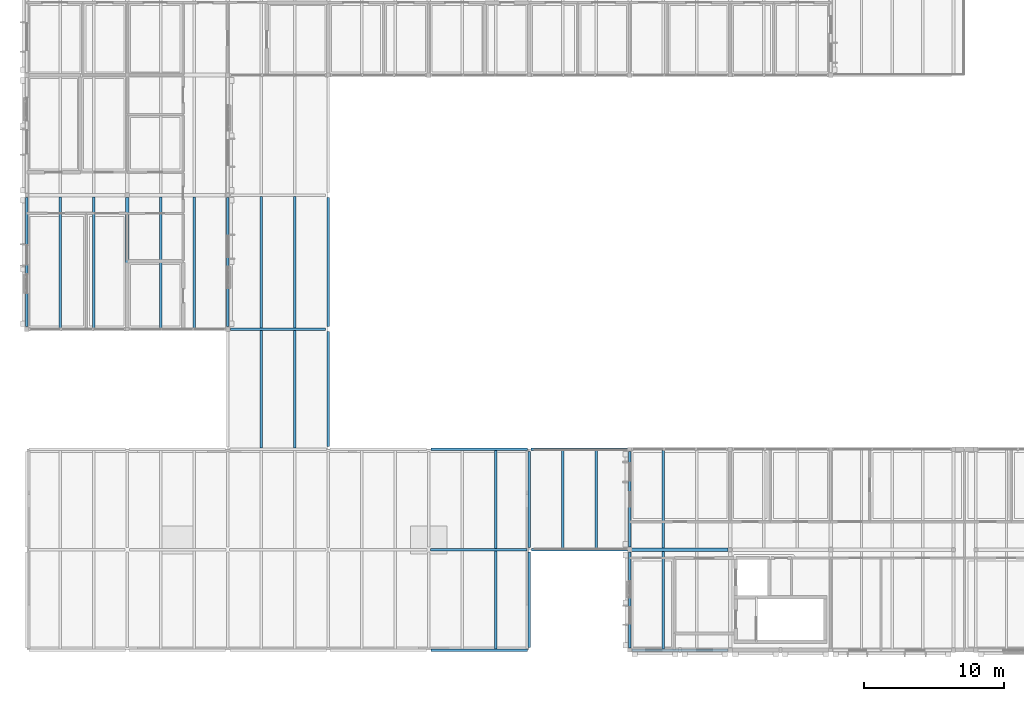
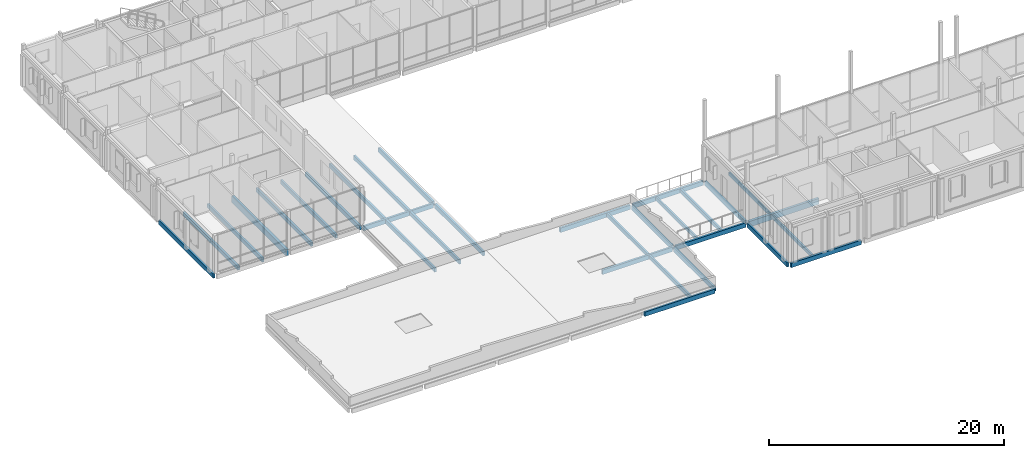
# One storey, part 6 of 57: 31 beams.
"""IFC4 building model written with IfcOpenShell, lengths in metres."""

from ifc_helpers import new_model, si_unit, direction, frame, origin, origin_2d, place, context, subcontext, project, spatial, rectangle, extrude, material, material_profile, profile_set, type_object, element, save


model = new_model("IFC4")

# Units and contexts
model_context = context("Model", 3, precision=1e-05, world=origin(), true_north=direction((0.0, 1.0)))
body_context = subcontext(model_context, "Body", "Model", "MODEL_VIEW")
ifc_project = project(units=[si_unit("LENGTHUNIT", "METRE"), si_unit("AREAUNIT", "SQUARE_METRE"), si_unit("VOLUMEUNIT", "CUBIC_METRE"), si_unit("PLANEANGLEUNIT", "RADIAN"), si_unit("MASSUNIT", "GRAM", prefix="KILO")], contexts=[model_context])

# Site, building, storey
site_placement = place(None, origin())
site = spatial("IfcSite", under=ifc_project, at=site_placement, CompositionType="ELEMENT")
building_placement = place(site_placement, origin())
building = spatial("IfcBuilding", under=site, at=building_placement, Name="Hawrajan Terrace Health Centre", CompositionType="ELEMENT")
storey_placement = place(building_placement, frame((0.0, 0.0, 13.199951171875)))
storey = spatial("IfcBuildingStorey", under=building, at=storey_placement, Name="L03", CompositionType="ELEMENT", Elevation=13.199951171875)

# Beams
ifc_material_1 = material(Name="Glulam GL32h", Category="wood")
ifc_material_profile_1 = material_profile(ifc_material_1, rectangle(XDim=0.239990234375, YDim=0.60009765625, at=origin_2d()), Name="GL BM 240x600")
ifc_profile_set_1 = profile_set([ifc_material_profile_1], Name="Glulam GL32h")
beam_type_1 = type_object("IfcBeamType", Name="GlulamGirder_240x600", PredefinedType="BEAM", material=ifc_profile_set_1)
beam_1_placement = place(storey_placement, frame((47.93994140625, 11.39990234375, -0.52001953125), z_axis=(1.0, 0.0, 0.0), x_axis=(0.0, 1.0, 0.0)))
element("IfcBeam", 1, at=beam_1_placement, inside=storey, type_object=beam_type_1, Name="Beam BM-X-L03-W-07-Y2", PredefinedType="BEAM", context=body_context, shape_type="SweptSolid", body=[
    extrude(rectangle(XDim=0.239990234375, YDim=0.60009765625, at=origin_2d()), origin(), (0.0, 0.0, 1.0), 6.900146484375),
])
ifc_material_profile_2 = material_profile(ifc_material_1, rectangle(XDim=0.280029296875, YDim=0.639892578125, at=origin_2d()), Name="GL BM 280x640")
ifc_profile_set_2 = profile_set([ifc_material_profile_2], Name="Glulam GL32h")
beam_type_2 = type_object("IfcBeamType", Name="GlulamGirder_280x640", PredefinedType="BEAM", material=ifc_profile_set_2)
beam_2_placement = place(storey_placement, frame((11.800048828125, 27.360107421875, -0.530029296875), z_axis=(0.0, 1.0, 0.0), x_axis=(-1.0, 0.0, 0.0)))
element("IfcBeam", 2, at=beam_2_placement, inside=storey, type_object=beam_type_2, Name="Beam BM-Y-L03-W-X02-4", PredefinedType="BEAM", context=body_context, shape_type="SweptSolid", body=[
    extrude(rectangle(XDim=0.280029296875, YDim=0.639892578125, at=origin_2d()), origin(), (0.0, 0.0, 1.0), 9.260009765625),
])
ifc_material_2 = material(Name="Glulam GL28h", Category="wood")
ifc_material_profile_3 = material_profile(ifc_material_2, rectangle(XDim=0.159912109375, YDim=0.360107421875, at=origin_2d()), Name="GL JST 160x360")
ifc_profile_set_3 = profile_set([ifc_material_profile_3], Name="Glulam GL28h")
beam_type_3 = type_object("IfcBeamType", Name="GlulamJoist_160x360", PredefinedType="JOIST", material=ifc_profile_set_3)
beam_3_placement = place(storey_placement, frame((43.0, 11.5, -0.429931640625), z_axis=(0.0, 1.0, 0.0), x_axis=(-1.0, 0.0, 0.0)))
element("IfcBeam", 3, at=beam_3_placement, inside=storey, type_object=beam_type_3, Name="Secondary joist JST-L03-W-06-2-1", PredefinedType="JOIST", context=body_context, shape_type="SweptSolid", body=[
    extrude(rectangle(XDim=0.159912109375, YDim=0.360107421875, at=origin_2d()), origin(), (0.0, 0.0, 1.0), 7.0),
])
for number, where, z_axis, x_axis, name in (
    (4, (50.199951171875, 4.300048828125, -0.39990234375), (0.0, 1.0, 0.0), (-1.0, 0.0, 0.0), "Secondary joist JST-L03-W-07-1-1"),
    (5, (50.199951171875, 11.52001953125, -0.39990234375), (0.0, 1.0, 0.0), (-1.0, 0.0, 0.0), "Secondary joist JST-L03-W-07-2-1"),
):
    element("IfcBeam", number, at=place(storey_placement, frame(where, z_axis=z_axis, x_axis=x_axis)), inside=storey, type_object=beam_type_3, Name=name, PredefinedType="JOIST", context=body_context, shape_type="SweptSolid", body=[
        extrude(rectangle(XDim=0.159912109375, YDim=0.360107421875, at=origin_2d()), origin(), (0.0, 0.0, 1.0), 6.97998046875),
    ])
ifc_material_profile_4 = material_profile(ifc_material_2, rectangle(XDim=0.179931640625, YDim=0.39990234375, at=origin_2d()), Name="GL JST 180x400")
ifc_profile_set_4 = profile_set([ifc_material_profile_4], Name="Glulam GL28h")
beam_type_4 = type_object("IfcBeamType", Name="GlulamJoist_180x400", PredefinedType="JOIST", material=ifc_profile_set_4)
for number, where, z_axis, x_axis, name in (
    (6, (38.199951171875, 4.300048828125, -0.449951171875), (0.0, 1.0, 0.0), (-1.0, 0.0, 0.0), "Secondary joist JST-L03-W-05-1-2"),
    (7, (38.199951171875, 11.5, -0.449951171875), (0.0, 1.0, 0.0), (-1.0, 0.0, 0.0), "Secondary joist JST-L03-W-05-2-2"),
    (8, (45.39990234375, 11.5, -0.449951171875), (0.0, 1.0, 0.0), (-1.0, 0.0, 0.0), "Secondary joist JST-L03-W-06-2-2"),
):
    element("IfcBeam", number, at=place(storey_placement, frame(where, z_axis=z_axis, x_axis=x_axis)), inside=storey, type_object=beam_type_4, Name=name, PredefinedType="JOIST", context=body_context, shape_type="SweptSolid", body=[
        extrude(rectangle(XDim=0.179931640625, YDim=0.39990234375, at=origin_2d()), origin(), (0.0, 0.0, 1.0), 7.0),
    ])
ifc_material_profile_5 = material_profile(ifc_material_2, rectangle(XDim=0.199951171875, YDim=0.419921875, at=origin_2d()), Name="GL JST 200x420")
ifc_profile_set_5 = profile_set([ifc_material_profile_5], Name="Glulam GL28h")
beam_type_5 = type_object("IfcBeamType", Name="GlulamJoist_200x420", PredefinedType="JOIST", material=ifc_profile_set_5)
for number, where, z_axis, x_axis, name in (
    (9, (7.0, 27.300048828125, -0.419921875), (0.0, 1.0, 0.0), (-1.0, 0.0, 0.0), "Secondary joist JST-L03-W-01-4-1"),
    (10, (9.39990234375, 27.300048828125, -0.419921875), (0.0, 1.0, 0.0), (-1.0, 0.0, 0.0), "Secondary joist JST-L03-W-01-4-2"),
):
    element("IfcBeam", number, at=place(storey_placement, frame(where, z_axis=z_axis, x_axis=x_axis)), inside=storey, type_object=beam_type_5, Name=name, PredefinedType="JOIST", context=body_context, shape_type="SweptSolid", body=[
        extrude(rectangle(XDim=0.199951171875, YDim=0.419921875, at=origin_2d()), origin(), (0.0, 0.0, 1.0), 9.35986328125),
    ])
for number, where, z_axis, x_axis, name in (
    (11, (14.199951171875, 27.300048828125, -0.4599609375), (0.0, 1.0, 0.0), (-1.0, 0.0, 0.0), "Secondary joist JST-L03-W-02-4-1"),
    (12, (16.60009765625, 27.300048828125, -0.4599609375), (0.0, 1.0, 0.0), (-1.0, 0.0, 0.0), "Secondary joist JST-L03-W-02-4-2"),
):
    element("IfcBeam", number, at=place(storey_placement, frame(where, z_axis=z_axis, x_axis=x_axis)), inside=storey, type_object=beam_type_5, Name=name, PredefinedType="JOIST", context=body_context, shape_type="SweptSolid", body=[
        extrude(rectangle(XDim=0.199951171875, YDim=0.419921875, at=origin_2d()), origin(), (0.0, 0.0, 1.0), 9.3798828125),
    ])
for number, where, z_axis, x_axis, name in (
    (13, (21.39990234375, 18.699951171875, -0.4599609375), (0.0, 1.0, 0.0), (-1.0, 0.0, 0.0), "Secondary joist JST-L03-W-03-3-1"),
    (14, (23.800048828125, 18.699951171875, -0.4599609375), (0.0, 1.0, 0.0), (-1.0, 0.0, 0.0), "Secondary joist JST-L03-W-03-3-2"),
):
    element("IfcBeam", number, at=place(storey_placement, frame(where, z_axis=z_axis, x_axis=x_axis)), inside=storey, type_object=beam_type_5, Name=name, PredefinedType="JOIST", context=body_context, shape_type="SweptSolid", body=[
        extrude(rectangle(XDim=0.199951171875, YDim=0.419921875, at=origin_2d()), origin(), (0.0, 0.0, 1.0), 8.400146484375),
    ])
for number, where, z_axis, x_axis, name in (
    (15, (21.39990234375, 27.300048828125, -0.4599609375), (0.0, 1.0, 0.0), (-1.0, 0.0, 0.0), "Secondary joist JST-L03-W-03-4-1"),
    (16, (23.800048828125, 27.300048828125, -0.4599609375), (0.0, 1.0, 0.0), (-1.0, 0.0, 0.0), "Secondary joist JST-L03-W-03-4-2"),
):
    element("IfcBeam", number, at=place(storey_placement, frame(where, z_axis=z_axis, x_axis=x_axis)), inside=storey, type_object=beam_type_5, Name=name, PredefinedType="JOIST", context=body_context, shape_type="SweptSolid", body=[
        extrude(rectangle(XDim=0.199951171875, YDim=0.419921875, at=origin_2d()), origin(), (0.0, 0.0, 1.0), 9.39990234375),
    ])
ifc_material_profile_6 = material_profile(ifc_material_1, rectangle(XDim=0.199951171875, YDim=0.4599609375, at=origin_2d()), Name="GL SP 200x460")
ifc_profile_set_6 = profile_set([ifc_material_profile_6], Name="Glulam GL32h")
beam_type_6 = type_object("IfcBeamType", Name="GlulamSpandrel_200x460", PredefinedType="SPANDREL", material=ifc_profile_set_6)
beam_4_placement = place(storey_placement, frame((19.179931640625, 27.199951171875, -0.47998046875), z_axis=(1.0, 0.0, 0.0), x_axis=(0.0, 1.0, 0.0)))
element("IfcBeam", 17, at=beam_4_placement, inside=storey, type_object=beam_type_6, Name="Beam BM-X-L03-W-03-Y4", PredefinedType="SPANDREL", context=body_context, shape_type="SweptSolid", body=[
    extrude(rectangle(XDim=0.199951171875, YDim=0.4599609375, at=origin_2d()), origin(), (0.0, 0.0, 1.0), 6.840087890625),
])
for number, where, z_axis, x_axis, name in (
    (18, (33.56005859375, 4.199951171875, -0.47998046875), (1.0, 0.0, 0.0), (0.0, 1.0, 0.0), "Beam BM-X-L03-W-05-Y1"),
    (19, (33.5400390625, 11.39990234375, -0.47998046875), (1.0, 0.0, 0.0), (0.0, 1.0, 0.0), "Beam BM-X-L03-W-05-Y2"),
    (20, (33.56005859375, 18.60009765625, -0.47998046875), (1.0, 0.0, 0.0), (0.0, 1.0, 0.0), "Beam BM-X-L03-W-05-Y3"),
    (21, (40.760009765625, 11.39990234375, -0.47998046875), (1.0, 0.0, 0.0), (0.0, 1.0, 0.0), "Beam BM-X-L03-W-06-Y2"),
    (22, (40.739990234375, 18.60009765625, -0.47998046875), (1.0, 0.0, 0.0), (0.0, 1.0, 0.0), "Beam BM-X-L03-W-06-Y3"),
):
    element("IfcBeam", number, at=place(storey_placement, frame(where, z_axis=z_axis, x_axis=x_axis)), inside=storey, type_object=beam_type_6, Name=name, PredefinedType="SPANDREL", context=body_context, shape_type="SweptSolid", body=[
        extrude(rectangle(XDim=0.199951171875, YDim=0.4599609375, at=origin_2d()), origin(), (0.0, 0.0, 1.0), 6.89990234375),
    ])
beam_5_placement = place(storey_placement, frame((47.9599609375, 4.199951171875, -0.43994140625), z_axis=(1.0, 0.0, 0.0), x_axis=(0.0, 1.0, 0.0)))
element("IfcBeam", 23, at=beam_5_placement, inside=storey, type_object=beam_type_6, Name="Beam BM-X-L03-W-07-Y1", PredefinedType="SPANDREL", context=body_context, shape_type="SweptSolid", body=[
    extrude(rectangle(XDim=0.199951171875, YDim=0.4599609375, at=origin_2d()), origin(), (0.0, 0.0, 1.0), 6.900146484375),
])
beam_6_placement = place(storey_placement, frame((4.60009765625, 27.3798828125, -0.43994140625), z_axis=(0.0, 1.0, 0.0), x_axis=(-1.0, 0.0, 0.0)))
element("IfcBeam", 24, at=beam_6_placement, inside=storey, type_object=beam_type_6, Name="Beam BM-Y-L03-W-X01-4", PredefinedType="SPANDREL", context=body_context, shape_type="SweptSolid", body=[
    extrude(rectangle(XDim=0.199951171875, YDim=0.4599609375, at=origin_2d()), origin(), (0.0, 0.0, 1.0), 9.260009765625),
])
beam_7_placement = place(storey_placement, frame((19.0, 27.3798828125, -0.47998046875), z_axis=(0.0, 1.0, 0.0), x_axis=(-1.0, 0.0, 0.0)))
element("IfcBeam", 25, at=beam_7_placement, inside=storey, type_object=beam_type_6, Name="Beam BM-Y-L03-W-X03-4", PredefinedType="SPANDREL", context=body_context, shape_type="SweptSolid", body=[
    extrude(rectangle(XDim=0.199951171875, YDim=0.4599609375, at=origin_2d()), origin(), (0.0, 0.0, 1.0), 9.240234375),
])
beam_8_placement = place(storey_placement, frame((26.199951171875, 18.780029296875, -0.47998046875), z_axis=(0.0, 1.0, 0.0), x_axis=(-1.0, 0.0, 0.0)))
element("IfcBeam", 26, at=beam_8_placement, inside=storey, type_object=beam_type_6, Name="Beam BM-Y-L03-W-X04-3", PredefinedType="SPANDREL", context=body_context, shape_type="SweptSolid", body=[
    extrude(rectangle(XDim=0.199951171875, YDim=0.4599609375, at=origin_2d()), origin(), (0.0, 0.0, 1.0), 8.239990234375),
])
beam_9_placement = place(storey_placement, frame((26.199951171875, 27.3798828125, -0.47998046875), z_axis=(0.0, 1.0, 0.0), x_axis=(-1.0, 0.0, 0.0)))
element("IfcBeam", 27, at=beam_9_placement, inside=storey, type_object=beam_type_6, Name="Beam BM-Y-L03-W-X04-4", PredefinedType="SPANDREL", context=body_context, shape_type="SweptSolid", body=[
    extrude(rectangle(XDim=0.199951171875, YDim=0.4599609375, at=origin_2d()), origin(), (0.0, 0.0, 1.0), 9.240234375),
])
beam_10_placement = place(storey_placement, frame((40.60009765625, 4.3798828125, -0.47998046875), z_axis=(0.0, 1.0, 0.0), x_axis=(-1.0, 0.0, 0.0)))
element("IfcBeam", 28, at=beam_10_placement, inside=storey, type_object=beam_type_6, Name="Beam BM-Y-L03-W-X06-1", PredefinedType="SPANDREL", context=body_context, shape_type="SweptSolid", body=[
    extrude(rectangle(XDim=0.199951171875, YDim=0.4599609375, at=origin_2d()), origin(), (0.0, 0.0, 1.0), 6.860107421875),
])
for number, where, z_axis, x_axis, name in (
    (29, (40.60009765625, 11.56005859375, -0.47998046875), (0.0, 1.0, 0.0), (-1.0, 0.0, 0.0), "Beam BM-Y-L03-W-X06-2"),
    (30, (47.800048828125, 4.360107421875, -0.449951171875), (0.0, 1.0, 0.0), (-1.0, 0.0, 0.0), "Beam BM-Y-L03-W-X07-1"),
    (31, (47.800048828125, 11.580078125, -0.449951171875), (0.0, 1.0, 0.0), (-1.0, 0.0, 0.0), "Beam BM-Y-L03-W-X07-2"),
):
    element("IfcBeam", number, at=place(storey_placement, frame(where, z_axis=z_axis, x_axis=x_axis)), inside=storey, type_object=beam_type_6, Name=name, PredefinedType="SPANDREL", context=body_context, shape_type="SweptSolid", body=[
        extrude(rectangle(XDim=0.199951171875, YDim=0.4599609375, at=origin_2d()), origin(), (0.0, 0.0, 1.0), 6.85986328125),
    ])

save(model, "model.ifc")
